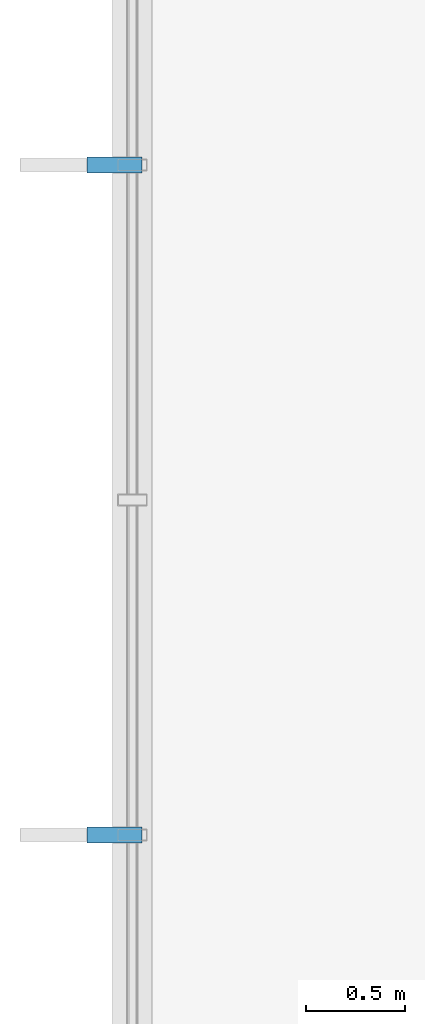
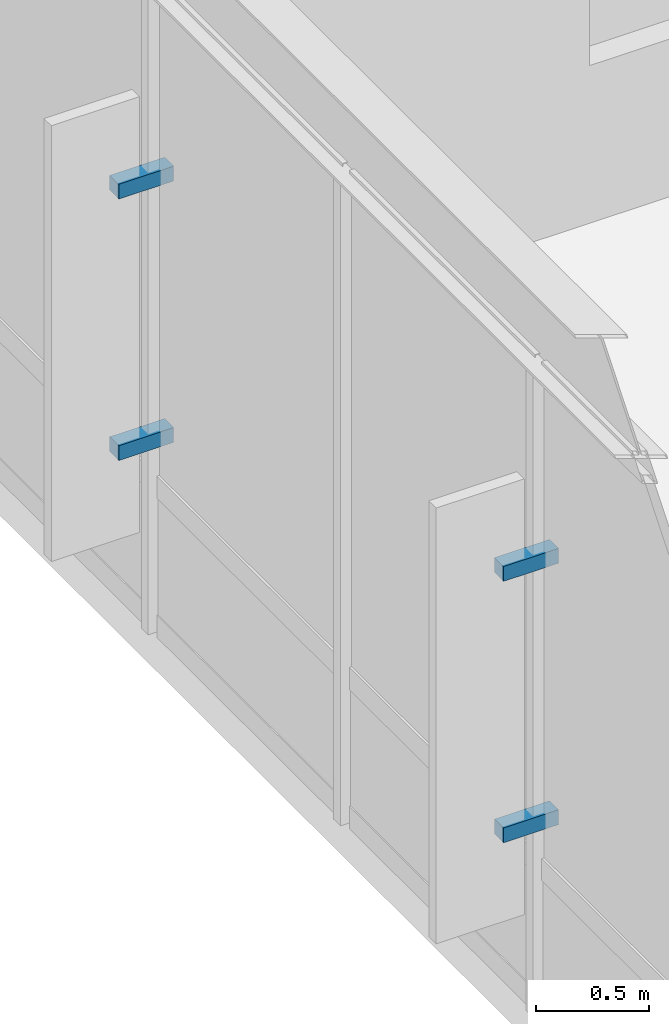
# One storey, part 96 of 106: 4 discrete accessories.
"""IFC4 building model written with IfcOpenShell, lengths in metres."""

from ifc_helpers import new_model, si_unit, direction, frame, origin, origin_2d, place, context, subcontext, project, spatial, rectangle, extrude, material, type_object, element, save


model = new_model("IFC4")

# Units and contexts
model_context = context("Model", 3, precision=1e-05, world=origin(), true_north=direction((0.0, 1.0)))
body_context = subcontext(model_context, "Body", "Model", "MODEL_VIEW")
ifc_project = project(units=[si_unit("LENGTHUNIT", "METRE"), si_unit("AREAUNIT", "SQUARE_METRE"), si_unit("VOLUMEUNIT", "CUBIC_METRE"), si_unit("PLANEANGLEUNIT", "RADIAN"), si_unit("MASSUNIT", "GRAM", prefix="KILO")], contexts=[model_context])

# Site, building, storey
site_placement = place(None, origin())
site = spatial("IfcSite", under=ifc_project, at=site_placement, CompositionType="ELEMENT")
building_placement = place(site_placement, origin())
building = spatial("IfcBuilding", under=site, at=building_placement, Name="Kazanami Central Library", CompositionType="ELEMENT")
storey_placement = place(building_placement, frame((0.0, 0.0, 12.800048828125)))
storey = spatial("IfcBuildingStorey", under=building, at=storey_placement, Name="L04", CompositionType="ELEMENT", Elevation=12.800048828125)

# Discrete accessories
ifc_material = material(Name="Stainless Steel SUS304", Category="steel")
discrete_accessory_type = type_object("IfcDiscreteAccessoryType", Name="ACC-BRK-1", PredefinedType="BRACKET", material=ifc_material)
for number, where, z_axis, x_axis, name in (
    (1, (-0.090087890625, 88.300048828125, 1.0), (0.0, 0.0, 1.0), (0.0, 1.0, 0.0), "Solar Fin Outrigger Bracket L04 W-1-12.1.1"),
    (2, (-0.090087890625, 88.300048828125, 2.409912109375), (0.0, 0.0, 1.0), (0.0, 1.0, 0.0), "Solar Fin Outrigger Bracket L04 W-1-12.1.2"),
    (3, (-0.090087890625, 91.699951171875, 1.0), (0.0, 0.0, 1.0), (0.0, 1.0, 0.0), "Solar Fin Outrigger Bracket L04 W-1-12.2.1"),
    (4, (-0.090087890625, 91.699951171875, 2.409912109375), (0.0, 0.0, 1.0), (0.0, 1.0, 0.0), "Solar Fin Outrigger Bracket L04 W-1-12.2.2"),
):
    element("IfcDiscreteAccessory", number, at=place(storey_placement, frame(where, z_axis=z_axis, x_axis=x_axis)), inside=storey, type_object=discrete_accessory_type, Name=name, PredefinedType="BRACKET", context=body_context, shape_type="SweptSolid", body=[
        extrude(rectangle(XDim=0.080078125, YDim=0.280029296875, at=origin_2d()), origin(), (0.0, 0.0, 1.0), 0.080078125),
    ])

save(model, "model.ifc")
